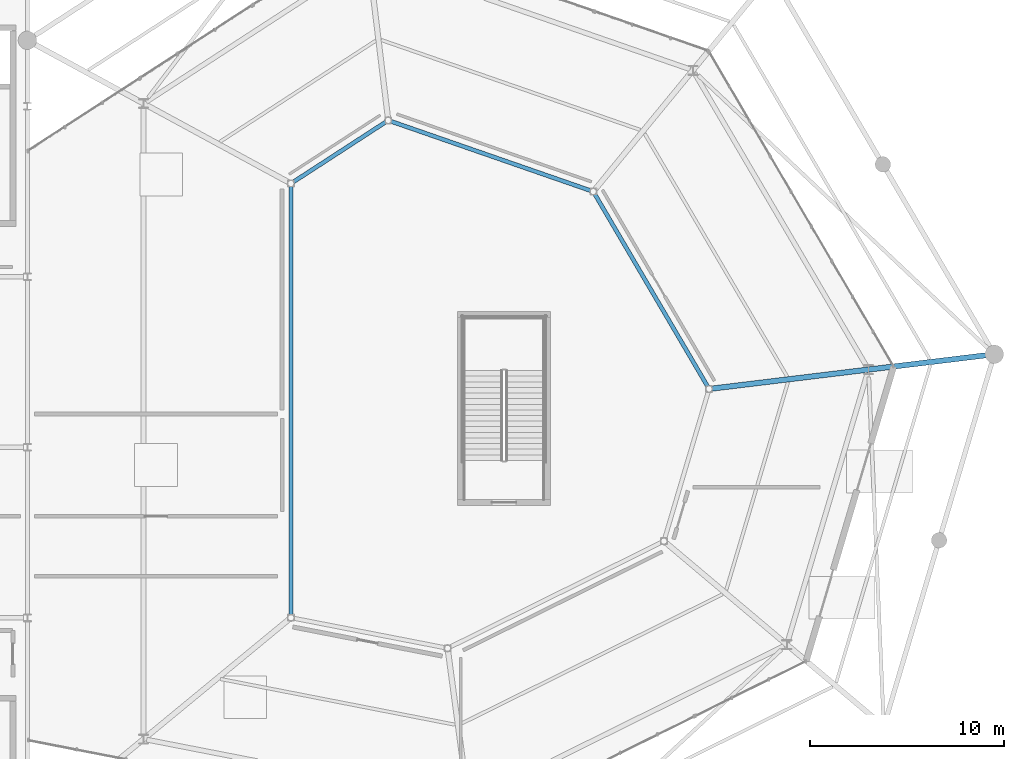
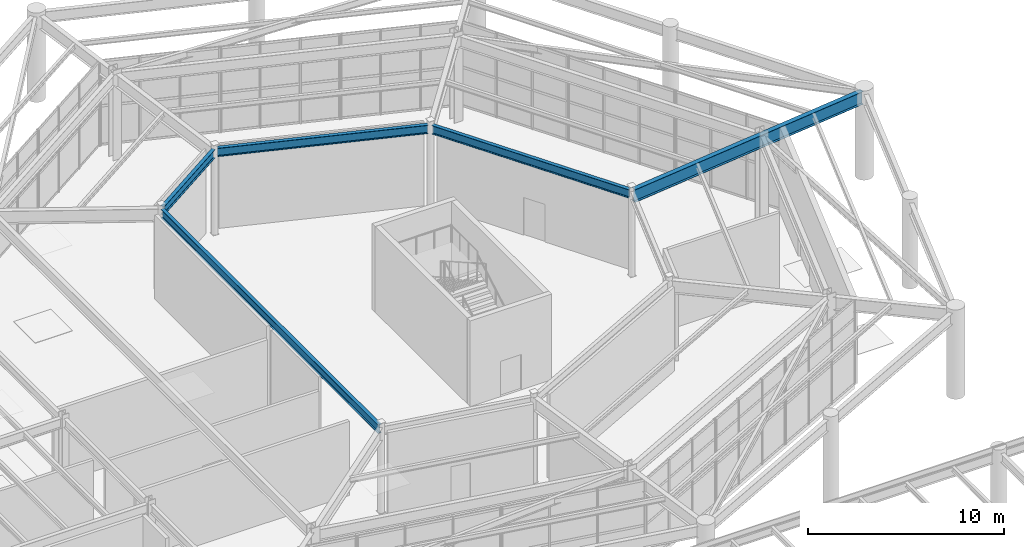
# One storey, part 33 of 70: 5 beams.
"""IFC4 building model written with IfcOpenShell, lengths in metres."""

from ifc_helpers import new_model, si_unit, direction, frame, origin, origin_2d, place, context, subcontext, project, spatial, i_section, extrude, material, material_profile, profile_set, type_object, element, save


model = new_model("IFC4")

# Units and contexts
model_context = context("Model", 3, precision=1e-05, world=origin(), true_north=direction((0.0, 1.0)))
body_context = subcontext(model_context, "Body", "Model", "MODEL_VIEW")
ifc_project = project(units=[si_unit("LENGTHUNIT", "METRE"), si_unit("AREAUNIT", "SQUARE_METRE"), si_unit("VOLUMEUNIT", "CUBIC_METRE"), si_unit("PLANEANGLEUNIT", "RADIAN"), si_unit("MASSUNIT", "GRAM", prefix="KILO")], contexts=[model_context])

# Site, building, storey
site_placement = place(None, origin())
site = spatial("IfcSite", under=ifc_project, at=site_placement, CompositionType="ELEMENT")
building_placement = place(site_placement, origin())
building = spatial("IfcBuilding", under=site, at=building_placement, Name="Sarnbrook Museum", CompositionType="ELEMENT")
storey_placement = place(building_placement, origin())
storey = spatial("IfcBuildingStorey", under=building, at=storey_placement, Name="L00", CompositionType="ELEMENT", Elevation=0.0)

# Beams
ifc_material_1 = material(Name="Structural Steel Grade 300PLUS (AS/NZS 3679.1, fy = 280 MPa for 17 < t <= 40 mm, 300 MPa for t <= 17 mm)", Category="steel")
ifc_material_profile_1 = material_profile(ifc_material_1, i_section(OverallWidth=0.208984375, OverallDepth=0.532958984375, WebThickness=0.01025390625, FlangeThickness=0.015625, FilletRadius=0.013916015625, at=origin_2d()), Name="530UB92.4")
ifc_profile_set_1 = profile_set([ifc_material_profile_1], Name="Structural Steel Grade 300PLUS (AS/NZS 3679.1, fy = 280 MPa for 17 < t <= 40 mm, 300 MPa for t <= 17 mm)")
beam_type_1 = type_object("IfcBeamType", Name="BM-UB530", PredefinedType="BEAM", material=ifc_profile_set_1)
beam_1_placement = place(storey_placement, frame((154.3212890625, 86.313720703125, 5.073486328125), z_axis=(-0.506064427748, 0.862495678231, 0.0), x_axis=(-0.862495678231, -0.506064427748, 0.0)))
element("IfcBeam", 1, at=beam_1_placement, inside=storey, type_object=beam_type_1, Name="Crystal Hall R2 Ring Girder 4 L00", PredefinedType="BEAM", context=body_context, shape_type="SweptSolid", body=[
    extrude(i_section(OverallWidth=0.208984375, OverallDepth=0.532958984375, WebThickness=0.01025390625, FlangeThickness=0.015625, FilletRadius=0.013916015625, at=origin_2d()), origin(), (0.0, 0.0, 1.0), 11.569580078125),
])
beam_2_placement = place(storey_placement, frame((148.292236328125, 96.435302734375, 5.073486328125), z_axis=(-0.944674814318, 0.328008376711, 0.0), x_axis=(-0.328008376711, -0.944674814318, 0.0)))
element("IfcBeam", 2, at=beam_2_placement, inside=storey, type_object=beam_type_1, Name="Crystal Hall R2 Ring Girder 5 L00", PredefinedType="BEAM", context=body_context, shape_type="SweptSolid", body=[
    extrude(i_section(OverallWidth=0.208984375, OverallDepth=0.532958984375, WebThickness=0.01025390625, FlangeThickness=0.015625, FilletRadius=0.013916015625, at=origin_2d()), origin(), (0.0, 0.0, 1.0), 10.962890625),
])
beam_3_placement = place(storey_placement, frame((137.7216796875, 100.00537109375, 5.073486328125), z_axis=(-0.838900474039, -0.544284846984, 0.0), x_axis=(0.544284846984, -0.838900474039, 0.0)))
element("IfcBeam", 3, at=beam_3_placement, inside=storey, type_object=beam_type_1, Name="Crystal Hall R2 Ring Girder 6 L00", PredefinedType="BEAM", context=body_context, shape_type="SweptSolid", body=[
    extrude(i_section(OverallWidth=0.208984375, OverallDepth=0.532958984375, WebThickness=0.01025390625, FlangeThickness=0.015625, FilletRadius=0.013916015625, at=origin_2d()), origin(), (0.0, 0.0, 1.0), 5.746826171875),
])
beam_4_placement = place(storey_placement, frame((132.800048828125, 96.692138671875, 5.073486328125), z_axis=(0.0, -1.0, 0.0), x_axis=(1.0, 0.0, 0.0)))
element("IfcBeam", 4, at=beam_4_placement, inside=storey, type_object=beam_type_1, Name="Crystal Hall R2 Ring Girder 7 L00", PredefinedType="BEAM", context=body_context, shape_type="SweptSolid", body=[
    extrude(i_section(OverallWidth=0.208984375, OverallDepth=0.532958984375, WebThickness=0.01025390625, FlangeThickness=0.015625, FilletRadius=0.013916015625, at=origin_2d()), origin(), (0.0, 0.0, 1.0), 22.1669921875),
])
ifc_material_2 = material(Name="Structural Steel Grade 350L0 (AS/NZS 3678, fy = 340 MPa for 20 < t <= 40 mm)", Category="steel")
ifc_material_profile_2 = material_profile(ifc_material_2, i_section(OverallWidth=0.27490234375, OverallDepth=0.800048828125, WebThickness=0.010009765625, FlangeThickness=0.01611328125, at=origin_2d()), Name="800WB146")
ifc_profile_set_2 = profile_set([ifc_material_profile_2], Name="Structural Steel Grade 350L0 (AS/NZS 3678, fy = 340 MPa for 20 < t <= 40 mm)")
beam_type_2 = type_object("IfcBeamType", Name="CR-CANT", PredefinedType="BEAM", material=ifc_profile_set_2)
beam_5_placement = place(storey_placement, frame((154.501220703125, 86.224609375, 4.93994140625), z_axis=(0.992685983377, 0.12072505294, 0.0), x_axis=(-0.12072505294, 0.992685983377, 0.0)))
element("IfcBeam", 5, at=beam_5_placement, inside=storey, type_object=beam_type_2, Name="Crystal Hall Radial Cantilever Girder 4 L00", PredefinedType="BEAM", context=body_context, shape_type="SweptSolid", body=[
    extrude(i_section(OverallWidth=0.27490234375, OverallDepth=0.800048828125, WebThickness=0.010009765625, FlangeThickness=0.01611328125, at=origin_2d()), origin(), (0.0, 0.0, 1.0), 14.556396484375),
])

save(model, "model.ifc")
